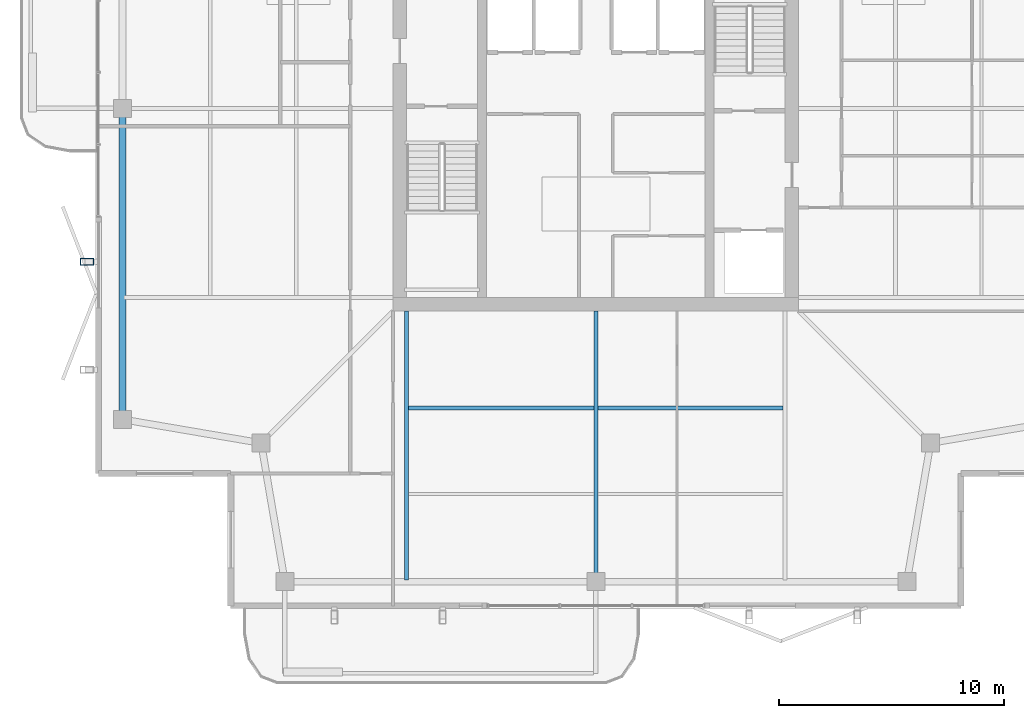
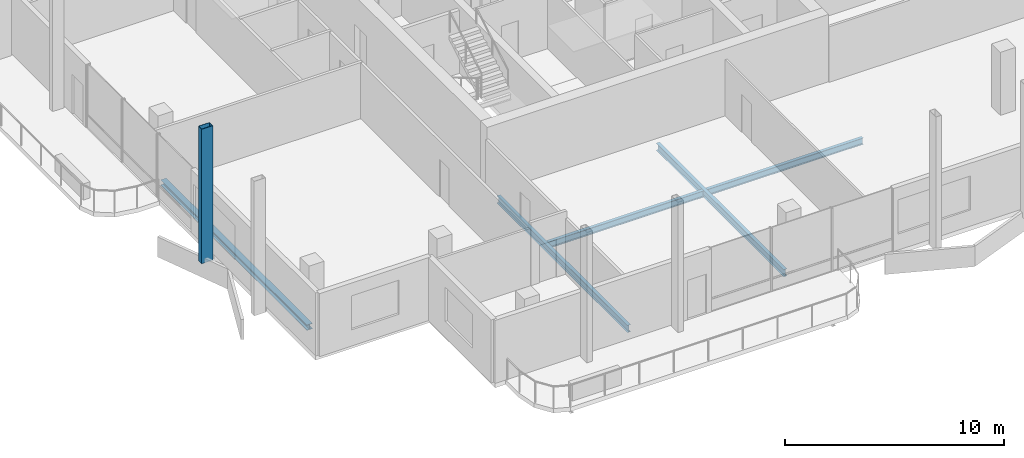
# One storey, part 5 of 22: 5 beams, 1 member.
"""IFC4 building model written with IfcOpenShell, lengths in metres."""

from ifc_helpers import new_model, si_unit, direction, frame, origin, origin_2d, place, context, subcontext, project, spatial, hollow_rectangle, i_section, extrude, material, material_profile, profile_set, type_object, element, save


model = new_model("IFC4")

# Units and contexts
model_context = context("Model", 3, precision=1e-05, world=origin(), true_north=direction((0.0, 1.0)))
body_context = subcontext(model_context, "Body", "Model", "MODEL_VIEW")
ifc_project = project(units=[si_unit("LENGTHUNIT", "METRE"), si_unit("AREAUNIT", "SQUARE_METRE"), si_unit("VOLUMEUNIT", "CUBIC_METRE"), si_unit("PLANEANGLEUNIT", "RADIAN"), si_unit("MASSUNIT", "GRAM", prefix="KILO")], contexts=[model_context])

# Site, building, storey
site_placement = place(None, origin())
site = spatial("IfcSite", under=ifc_project, at=site_placement, CompositionType="ELEMENT")
building_placement = place(site_placement, origin())
building = spatial("IfcBuilding", under=site, at=building_placement, Name="Belovzor Exchange Tower", CompositionType="ELEMENT")
storey_placement = place(building_placement, frame((0.0, 0.0, 336.75)))
storey = spatial("IfcBuildingStorey", under=building, at=storey_placement, Name="L84", CompositionType="ELEMENT", Elevation=336.75)

# Beams
ifc_material_1 = material(Name="Steel S355", Category="steel")
ifc_material_profile_1 = material_profile(ifc_material_1, i_section(OverallWidth=0.169921875, OverallDepth=0.360107421875, WebThickness=0.008056640625, FlangeThickness=0.0126953125, at=origin_2d()))
ifc_profile_set_1 = profile_set([ifc_material_profile_1], Name="Steel S355")
beam_type_1 = type_object("IfcBeamType", Name="Secondary Infill Floor Joist IPE 360", PredefinedType="BEAM", material=ifc_profile_set_1)
beam_1_placement = place(storey_placement, frame((20.489990234375, 15.507080078125, -0.419921875), z_axis=(1.0, 0.0, 0.0), x_axis=(0.0, 1.0, 0.0)))
element("IfcBeam", 1, at=beam_1_placement, inside=storey, type_object=beam_type_1, Name="FJ-360 Secondary Infill Floor Joist IPE 360", PredefinedType="BEAM", context=body_context, shape_type="SweptSolid", body=[
    extrude(i_section(OverallWidth=0.169921875, OverallDepth=0.360107421875, WebThickness=0.008056640625, FlangeThickness=0.0126953125, at=origin_2d()), origin(), (0.0, 0.0, 1.0), 8.219970703125),
])
beam_2_placement = place(storey_placement, frame((28.889892578125, 15.507080078125, -0.419921875), z_axis=(1.0, 0.0, 0.0), x_axis=(0.0, 1.0, 0.0)))
element("IfcBeam", 2, at=beam_2_placement, inside=storey, type_object=beam_type_1, Name="FJ-360 Secondary Infill Floor Joist IPE 360", PredefinedType="BEAM", context=body_context, shape_type="SweptSolid", body=[
    extrude(i_section(OverallWidth=0.169921875, OverallDepth=0.360107421875, WebThickness=0.008056640625, FlangeThickness=0.0126953125, at=origin_2d()), origin(), (0.0, 0.0, 1.0), 8.22021484375),
])

# Member
ifc_material_2 = material(Name="Extruded Architectural Terracotta on Steel S355 Carrier", Category="masonry")
ifc_material_profile_2 = material_profile(ifc_material_2, hollow_rectangle(XDim=0.300048828125, YDim=0.60009765625, WallThickness=0.01611328125, at=origin_2d()))
ifc_profile_set_2 = profile_set([ifc_material_profile_2], Name="Extruded Architectural Terracotta on Steel S355 Carrier")
member_type = type_object("IfcMemberType", Name="Upper Crown Terracotta Fin Assembly 550", PredefinedType="USERDEFINED", material=ifc_profile_set_2)
member_placement = place(storey_placement, frame((6.22509765625, 22.0, -0.239990234375), z_axis=(0.0, 0.0, 1.0), x_axis=(0.0, 1.0, 0.0)))
element("IfcMember", 3, at=member_placement, inside=storey, type_object=member_type, Name="FIN-TC055 Terracotta Facade Fin L84 W2", ObjectType="FIN", PredefinedType="USERDEFINED", context=body_context, shape_type="SweptSolid", body=[
    extrude(hollow_rectangle(XDim=0.300048828125, YDim=0.60009765625, WallThickness=0.01611328125, at=origin_2d()), origin(), (0.0, 0.0, 1.0), 7.5),
])

# Beams
ifc_material_3 = material(Name="Steel S355", Category="steel")
ifc_material_profile_3 = material_profile(ifc_material_3, i_section(OverallWidth=0.179931640625, OverallDepth=0.39990234375, WebThickness=0.008544921875, FlangeThickness=0.013427734375, at=origin_2d()))
ifc_profile_set_3 = profile_set([ifc_material_profile_3], Name="Steel S355")
beam_type_2 = type_object("IfcBeamType", Name="Zone 5-6 Radial Composite Floor Beam IPE 400", PredefinedType="BEAM", material=ifc_profile_set_3)
beam_3_placement = place(storey_placement, frame((20.39990234375, 19.800048828125, -0.43994140625), z_axis=(0.0, -1.0, 0.0), x_axis=(1.0, 0.0, 0.0)))
element("IfcBeam", 4, at=beam_3_placement, inside=storey, type_object=beam_type_2, Name="FB-400 Zone 5-6 Radial Composite Floor Beam IPE 400", PredefinedType="BEAM", context=body_context, shape_type="SweptSolid", body=[
    extrude(i_section(OverallWidth=0.179931640625, OverallDepth=0.39990234375, WebThickness=0.008544921875, FlangeThickness=0.013427734375, at=origin_2d()), origin(), (0.0, 0.0, 1.0), 11.925048828125),
])
beam_4_placement = place(storey_placement, frame((28.800048828125, 19.800048828125, -0.43994140625), z_axis=(0.0, -1.0, 0.0), x_axis=(1.0, 0.0, 0.0)))
element("IfcBeam", 5, at=beam_4_placement, inside=storey, type_object=beam_type_2, Name="FB-400 Zone 5-6 Radial Composite Floor Beam IPE 400", PredefinedType="BEAM", context=body_context, shape_type="SweptSolid", body=[
    extrude(i_section(OverallWidth=0.179931640625, OverallDepth=0.39990234375, WebThickness=0.008544921875, FlangeThickness=0.013427734375, at=origin_2d()), origin(), (0.0, 0.0, 1.0), 11.64794921875),
])
ifc_material_4 = material(Name="Steel S355", Category="steel")
ifc_material_profile_4 = material_profile(ifc_material_4, i_section(OverallWidth=0.300048828125, OverallDepth=0.300048828125, WebThickness=0.008544921875, FlangeThickness=0.013916015625, at=origin_2d()))
ifc_profile_set_4 = profile_set([ifc_material_profile_4], Name="Steel S355")
beam_type_3 = type_object("IfcBeamType", Name="Zone 6 Primary Girder HEA 300", PredefinedType="BEAM", material=ifc_profile_set_4)
beam_5_placement = place(storey_placement, frame((7.800048828125, 28.580078125, -0.389892578125), z_axis=(0.0, -1.0, 0.0), x_axis=(1.0, 0.0, 0.0)))
element("IfcBeam", 6, at=beam_5_placement, inside=storey, type_object=beam_type_3, Name="FG-Z6 Zone 6 Primary Girder HEA 300", PredefinedType="BEAM", context=body_context, shape_type="SweptSolid", body=[
    extrude(i_section(OverallWidth=0.300048828125, OverallDepth=0.300048828125, WebThickness=0.008544921875, FlangeThickness=0.013916015625, at=origin_2d()), origin(), (0.0, 0.0, 1.0), 13.360107421875),
])

save(model, "model.ifc")
